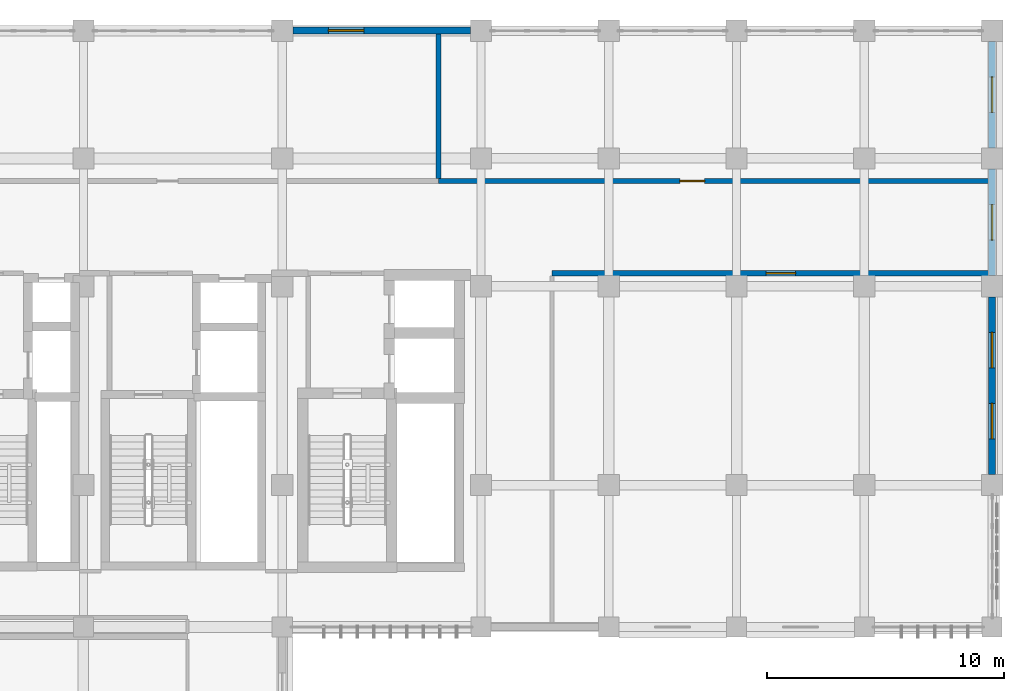
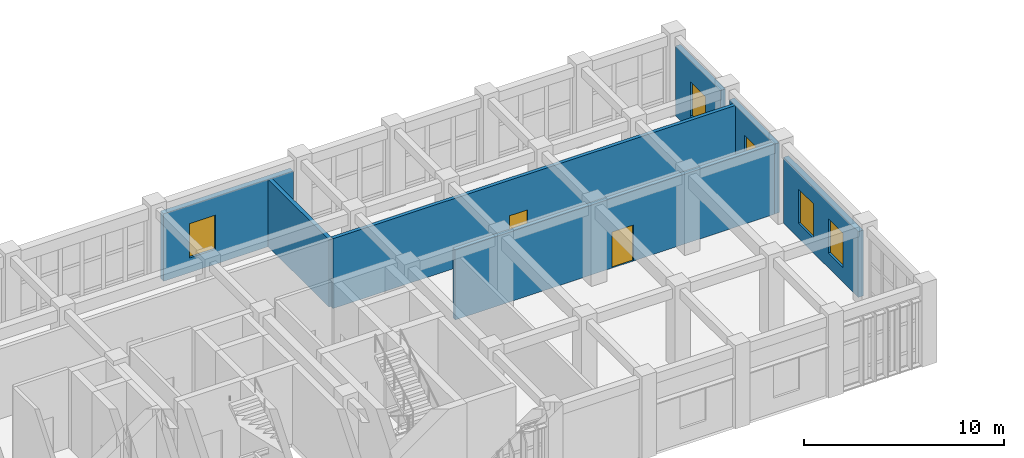
# One storey, part 97 of 106: 7 walls, 5 windows, 2 doors, 7 openings.
"""IFC4 building model written with IfcOpenShell, lengths in metres."""

from ifc_helpers import new_model, si_unit, direction, frame, frame_2d, origin, place, context, subcontext, project, spatial, rectangle, extrude, material, layer, layer_set, type_object, element, fill, save


model = new_model("IFC4")

# Units and contexts
model_context = context("Model", 3, precision=1e-05, world=origin(), true_north=direction((0.0, 1.0)))
body_context = subcontext(model_context, "Body", "Model", "MODEL_VIEW")
ifc_project = project(units=[si_unit("LENGTHUNIT", "METRE"), si_unit("AREAUNIT", "SQUARE_METRE"), si_unit("VOLUMEUNIT", "CUBIC_METRE"), si_unit("PLANEANGLEUNIT", "RADIAN"), si_unit("MASSUNIT", "GRAM", prefix="KILO")], contexts=[model_context])

# Site, building, storey
site_placement = place(None, origin())
site = spatial("IfcSite", under=ifc_project, at=site_placement, CompositionType="ELEMENT")
building_placement = place(site_placement, origin())
building = spatial("IfcBuilding", under=site, at=building_placement, Name="Krzemoval Escarpment Law Courts", CompositionType="ELEMENT")
storey_placement = place(building_placement, frame((0.0, 0.0, 5.10009765625)))
storey = spatial("IfcBuildingStorey", under=building, at=storey_placement, Name="L01", CompositionType="ELEMENT", Elevation=5.10009765625)

# Wall, opening, window
ifc_material_1 = material(Name="Precast concrete C40/50", Category="concrete")
ifc_layer_1 = layer(ifc_material_1, 0.300048828125)
ifc_layer_set_1 = layer_set([ifc_layer_1], Name="Precast concrete C40/50")
wall_type_1 = type_object("IfcWallType", Name="WL-EXT-300", PredefinedType="SOLIDWALL", material=ifc_layer_set_1)
wall_1_placement = place(storey_placement, frame((143.25, 118.800048828125, 0.0), z_axis=(0.0, 0.0, 1.0), x_axis=(1.0, 0.0, 0.0)))
wall_1 = element("IfcWall", 1, at=wall_1_placement, inside=storey, type_object=wall_type_1, Name="Exterior Wall EW-L01-0196", PredefinedType="SOLIDWALL", context=body_context, shape_type="SweptSolid", body=[
    extrude(rectangle(XDim=7.5, YDim=0.300048828125, at=frame_2d((3.75, 0.0))), origin(), (0.0, 0.0, 1.0), 4.119873046875),
])
opening_1_placement = place(wall_1_placement, frame((1.5, 0.0, 0.89990234375)))
opening_1 = element("IfcOpeningElement", 2, at=opening_1_placement, cuts=wall_1, Name="Opening WN-L01-0187", PredefinedType="OPENING", context=body_context, shape_type="SweptSolid", body=[
    extrude(rectangle(XDim=1.5, YDim=2.10009765625, at=frame_2d((0.75, 1.050048828125))), frame((0.0, 0.16502, 0.0), z_axis=(0.0, -1.0, 0.0), x_axis=(1.0, 0.0, 0.0)), (0.0, 0.0, 1.0), 0.33005),
])
ifc_material_2 = material(Name="Thermally Broken Aluminium Frame with Triple Low-E Acoustic Glass", Category="aluminium")
window_type = type_object("IfcWindowType", Name="WN-1500x2100", PartitioningType="SINGLE_PANEL", PredefinedType="WINDOW", material=ifc_material_2)
window_1_placement = place(opening_1_placement, origin())
window_1 = element("IfcWindow", 3, at=window_1_placement, inside=storey, type_object=window_type, Name="Facade Window WN-L01-0187", OverallHeight=2.10009765625, OverallWidth=1.5, PartitioningType="SINGLE_PANEL", PredefinedType="WINDOW", context=body_context, shape_type="SweptSolid", body=[
    extrude(rectangle(XDim=1.5, YDim=2.10009765625, at=frame_2d((0.75, 1.050048828125))), frame((0.0, 0.030029296875, 0.0), z_axis=(0.0, -1.0, 0.0), x_axis=(1.0, 0.0, 0.0)), (0.0, 0.0, 1.0), 0.06005859375),
])
fill(opening_1, window_1)

wall_2_placement = place(storey_placement, frame((172.800048828125, 118.35009765625, 0.0), z_axis=(0.0, 0.0, 1.0), x_axis=(0.0, -1.0, 0.0)))
wall_2 = element("IfcWall", 4, at=wall_2_placement, inside=storey, type_object=wall_type_1, Name="Exterior Wall EW-L01-0197", PredefinedType="SOLIDWALL", context=body_context, shape_type="SweptSolid", body=[
    extrude(rectangle(XDim=4.5, YDim=0.300048828125, at=frame_2d((2.25, 0.0))), origin(), (0.0, 0.0, 1.0), 4.27001953125),
])
opening_2_placement = place(wall_2_placement, frame((1.5, 0.0, 0.89990234375)))
opening_2 = element("IfcOpeningElement", 5, at=opening_2_placement, cuts=wall_2, Name="Opening WN-L01-0188", PredefinedType="OPENING", context=body_context, shape_type="SweptSolid", body=[
    extrude(rectangle(XDim=1.5, YDim=2.10009765625, at=frame_2d((0.75, 1.050048828125))), frame((0.0, 0.16502, 0.0), z_axis=(0.0, -1.0, 0.0), x_axis=(1.0, 0.0, 0.0)), (0.0, 0.0, 1.0), 0.33005),
])
window_2_placement = place(opening_2_placement, origin())
window_2 = element("IfcWindow", 6, at=window_2_placement, inside=storey, type_object=window_type, Name="Facade Window WN-L01-0188", OverallHeight=2.10009765625, OverallWidth=1.5, PartitioningType="SINGLE_PANEL", PredefinedType="WINDOW", context=body_context, shape_type="SweptSolid", body=[
    extrude(rectangle(XDim=1.5, YDim=2.10009765625, at=frame_2d((0.75, 1.050048828125))), frame((0.0, 0.030029296875, 0.0), z_axis=(0.0, -1.0, 0.0), x_axis=(1.0, 0.0, 0.0)), (0.0, 0.0, 1.0), 0.06005859375),
])
fill(opening_2, window_2)

wall_3_placement = place(storey_placement, frame((172.800048828125, 112.949951171875, 0.0), z_axis=(0.0, 0.0, 1.0), x_axis=(0.0, -1.0, 0.0)))
wall_3 = element("IfcWall", 7, at=wall_3_placement, inside=storey, type_object=wall_type_1, Name="Exterior Wall EW-L01-0198", PredefinedType="SOLIDWALL", context=body_context, shape_type="SweptSolid", body=[
    extrude(rectangle(XDim=4.5, YDim=0.300048828125, at=frame_2d((2.25, 0.0))), origin(), (0.0, 0.0, 1.0), 4.27001953125),
])
opening_3_placement = place(wall_3_placement, frame((1.5, 0.0, 0.89990234375)))
opening_3 = element("IfcOpeningElement", 8, at=opening_3_placement, cuts=wall_3, Name="Opening WN-L01-0189", PredefinedType="OPENING", context=body_context, shape_type="SweptSolid", body=[
    extrude(rectangle(XDim=1.5, YDim=2.10009765625, at=frame_2d((0.75, 1.050048828125))), frame((0.0, 0.16502, 0.0), z_axis=(0.0, -1.0, 0.0), x_axis=(1.0, 0.0, 0.0)), (0.0, 0.0, 1.0), 0.33005),
])
window_3_placement = place(opening_3_placement, origin())
window_3 = element("IfcWindow", 9, at=window_3_placement, inside=storey, type_object=window_type, Name="Facade Window WN-L01-0189", OverallHeight=2.10009765625, OverallWidth=1.5, PartitioningType="SINGLE_PANEL", PredefinedType="WINDOW", context=body_context, shape_type="SweptSolid", body=[
    extrude(rectangle(XDim=1.5, YDim=2.10009765625, at=frame_2d((0.75, 1.050048828125))), frame((0.0, 0.030029296875, 0.0), z_axis=(0.0, -1.0, 0.0), x_axis=(1.0, 0.0, 0.0)), (0.0, 0.0, 1.0), 0.06005859375),
])
fill(opening_3, window_3)

# Wall, openings, windows
wall_4_placement = place(storey_placement, frame((172.800048828125, 107.550048828125, 0.0), z_axis=(0.0, 0.0, 1.0), x_axis=(0.0, -1.0, 0.0)))
wall_4 = element("IfcWall", 10, at=wall_4_placement, inside=storey, type_object=wall_type_1, Name="Exterior Wall EW-L01-0199", PredefinedType="SOLIDWALL", context=body_context, shape_type="SweptSolid", body=[
    extrude(rectangle(XDim=7.5, YDim=0.300048828125, at=frame_2d((3.75, 0.0))), origin(), (0.0, 0.0, 1.0), 4.02001953125),
])
opening_4_placement = place(wall_4_placement, frame((1.5, 0.0, 0.89990234375)))
opening_4 = element("IfcOpeningElement", 11, at=opening_4_placement, cuts=wall_4, Name="Opening WN-L01-0190", PredefinedType="OPENING", context=body_context, shape_type="SweptSolid", body=[
    extrude(rectangle(XDim=1.5, YDim=2.10009765625, at=frame_2d((0.75, 1.050048828125))), frame((0.0, 0.16502, 0.0), z_axis=(0.0, -1.0, 0.0), x_axis=(1.0, 0.0, 0.0)), (0.0, 0.0, 1.0), 0.33005),
])
opening_5_placement = place(wall_4_placement, frame((4.5, 0.0, 0.89990234375)))
opening_5 = element("IfcOpeningElement", 12, at=opening_5_placement, cuts=wall_4, Name="Opening WN-L01-0191", PredefinedType="OPENING", context=body_context, shape_type="SweptSolid", body=[
    extrude(rectangle(XDim=1.5, YDim=2.10009765625, at=frame_2d((0.75, 1.050048828125))), frame((0.0, 0.16502, 0.0), z_axis=(0.0, -1.0, 0.0), x_axis=(1.0, 0.0, 0.0)), (0.0, 0.0, 1.0), 0.33005),
])
window_4_placement = place(opening_4_placement, origin())
window_4 = element("IfcWindow", 13, at=window_4_placement, inside=storey, type_object=window_type, Name="Facade Window WN-L01-0190", OverallHeight=2.10009765625, OverallWidth=1.5, PartitioningType="SINGLE_PANEL", PredefinedType="WINDOW", context=body_context, shape_type="SweptSolid", body=[
    extrude(rectangle(XDim=1.5, YDim=2.10009765625, at=frame_2d((0.75, 1.050048828125))), frame((0.0, 0.030029296875, 0.0), z_axis=(0.0, -1.0, 0.0), x_axis=(1.0, 0.0, 0.0)), (0.0, 0.0, 1.0), 0.06005859375),
])
fill(opening_4, window_4)
window_5_placement = place(opening_5_placement, origin())
window_5 = element("IfcWindow", 14, at=window_5_placement, inside=storey, type_object=window_type, Name="Facade Window WN-L01-0191", OverallHeight=2.10009765625, OverallWidth=1.5, PartitioningType="SINGLE_PANEL", PredefinedType="WINDOW", context=body_context, shape_type="SweptSolid", body=[
    extrude(rectangle(XDim=1.5, YDim=2.10009765625, at=frame_2d((0.75, 1.050048828125))), frame((0.0, 0.030029296875, 0.0), z_axis=(0.0, -1.0, 0.0), x_axis=(1.0, 0.0, 0.0)), (0.0, 0.0, 1.0), 0.06005859375),
])
fill(opening_5, window_5)

# Wall, opening, door
ifc_material_3 = material(Name="Fire-Rated Corridor Partition Wall", Category="gypsum")
ifc_layer_2 = layer(ifc_material_3, 0.199951171875)
ifc_layer_set_2 = layer_set([ifc_layer_2], Name="Fire-Rated Corridor Partition Wall")
wall_type_2 = type_object("IfcWallType", Name="WL-PRT-200", PredefinedType="PARTITIONING", material=ifc_layer_set_2)
wall_5_placement = place(storey_placement, frame((149.39990234375, 112.449951171875, 0.0), z_axis=(0.0, 0.0, 1.0), x_axis=(1.0, 0.0, 0.0)))
wall_5 = element("IfcWall", 15, at=wall_5_placement, inside=storey, type_object=wall_type_2, Name="Interior Partition PW-L01-0295", PredefinedType="PARTITIONING", context=body_context, shape_type="SweptSolid", body=[
    extrude(rectangle(XDim=23.248046875, YDim=0.199951171875, at=frame_2d((11.6240234375, 0.0))), origin(), (0.0, 0.0, 1.0), 4.27001953125),
])
opening_6_placement = place(wall_5_placement, frame((10.198974609375, 0.0, 0.0)))
opening_6 = element("IfcOpeningElement", 16, at=opening_6_placement, cuts=wall_5, Name="Opening D-L01-0124", PredefinedType="OPENING", context=body_context, shape_type="SweptSolid", body=[
    extrude(rectangle(XDim=1.050048828125, YDim=2.10009765625, at=frame_2d((0.52490234375, 1.050048828125))), frame((0.0, 0.11498, 0.0), z_axis=(0.0, -1.0, 0.0), x_axis=(1.0, 0.0, 0.0)), (0.0, 0.0, 1.0), 0.22995),
])
ifc_material_4 = material(Name="Engineered Solid-Core Oak Acoustic Timber", Category="wood")
door_type_1 = type_object("IfcDoorType", Name="DR-INT-1050x2100", OperationType="SINGLE_SWING_LEFT", PredefinedType="DOOR", material=ifc_material_4)
door_1_placement = place(opening_6_placement, origin())
door_1 = element("IfcDoor", 17, at=door_1_placement, inside=storey, type_object=door_type_1, Name="Room Door D-L01-0124", OperationType="SINGLE_SWING_LEFT", OverallHeight=2.10009765625, OverallWidth=1.050048828125, PredefinedType="DOOR", context=body_context, shape_type="SweptSolid", body=[
    extrude(rectangle(XDim=1.050048828125, YDim=2.10009765625, at=frame_2d((0.52490234375, 1.050048828125))), frame((0.0, 0.02490234375, 0.0), z_axis=(0.0, -1.0, 0.0), x_axis=(1.0, 0.0, 0.0)), (0.0, 0.0, 1.0), 0.050048828125),
])
fill(opening_6, door_1)

# Wall
ifc_material_5 = material(Name="Solid Calcium-Silicate Custody Blockwork Partition", Category="masonry")
ifc_layer_3 = layer(ifc_material_5, 0.219970703125)
ifc_layer_set_3 = layer_set([ifc_layer_3], Name="Solid Calcium-Silicate Custody Blockwork Partition")
wall_type_3 = type_object("IfcWallType", Name="WL-PRT-220", PredefinedType="PARTITIONING", material=ifc_layer_set_3)
wall_6_placement = place(storey_placement, frame((149.39990234375, 112.56201171875, 0.0), z_axis=(0.0, 0.0, 1.0), x_axis=(0.0, 1.0, 0.0)))
element("IfcWall", 18, at=wall_6_placement, inside=storey, type_object=wall_type_3, Name="Interior Partition PW-L01-0359", PredefinedType="PARTITIONING", context=body_context, shape_type="SweptSolid", body=[
    extrude(rectangle(XDim=6.0859375, YDim=0.219970703125, at=frame_2d((3.04296875, 0.0))), origin(), (0.0, 0.0, 1.0), 4.119873046875),
])

# Wall, opening, door
ifc_material_6 = material(Name="Acoustic Courtroom Partition Assembly", Category="gypsum")
ifc_layer_4 = layer(ifc_material_6, 0.239990234375)
ifc_layer_set_4 = layer_set([ifc_layer_4], Name="Acoustic Courtroom Partition Assembly")
wall_type_4 = type_object("IfcWallType", Name="WL-PRT-240", PredefinedType="PARTITIONING", material=ifc_layer_set_4)
wall_7_placement = place(storey_placement, frame((154.199951171875, 108.550048828125, 0.0), z_axis=(0.0, 0.0, 1.0), x_axis=(1.0, 0.0, 0.0)))
wall_7 = element("IfcWall", 19, at=wall_7_placement, inside=storey, type_object=wall_type_4, Name="Interior Partition PW-L01-0293", PredefinedType="PARTITIONING", context=body_context, shape_type="SweptSolid", body=[
    extrude(rectangle(XDim=18.447998046875, YDim=0.239990234375, at=frame_2d((9.22412109375, 0.0))), origin(), (0.0, 0.0, 1.0), 4.27001953125),
])
opening_7_placement = place(wall_7_placement, frame((9.049072265625, 0.0, 0.0)))
opening_7 = element("IfcOpeningElement", 20, at=opening_7_placement, cuts=wall_7, Name="Opening D-L01-0125", PredefinedType="OPENING", context=body_context, shape_type="SweptSolid", body=[
    extrude(rectangle(XDim=1.25, YDim=2.199951171875, at=frame_2d((0.625, 1.10009765625))), frame((0.0, 0.135, 0.0), z_axis=(0.0, -1.0, 0.0), x_axis=(1.0, 0.0, 0.0)), (0.0, 0.0, 1.0), 0.26999),
])
ifc_material_7 = material(Name="Engineered Solid-Core Oak Acoustic Timber", Category="wood")
door_type_2 = type_object("IfcDoorType", Name="DR-INT-1250x2200", OperationType="SINGLE_SWING_LEFT", PredefinedType="DOOR", material=ifc_material_7)
door_2_placement = place(opening_7_placement, origin())
door_2 = element("IfcDoor", 21, at=door_2_placement, inside=storey, type_object=door_type_2, Name="Room Door D-L01-0125", OperationType="SINGLE_SWING_RIGHT", OverallHeight=2.199951171875, OverallWidth=1.25, PredefinedType="DOOR", context=body_context, shape_type="SweptSolid", body=[
    extrude(rectangle(XDim=1.25, YDim=2.199951171875, at=frame_2d((0.625, 1.10009765625))), frame((0.0, 0.02490234375, 0.0), z_axis=(0.0, -1.0, 0.0), x_axis=(1.0, 0.0, 0.0)), (0.0, 0.0, 1.0), 0.050048828125),
])
fill(opening_7, door_2)

save(model, "model.ifc")
